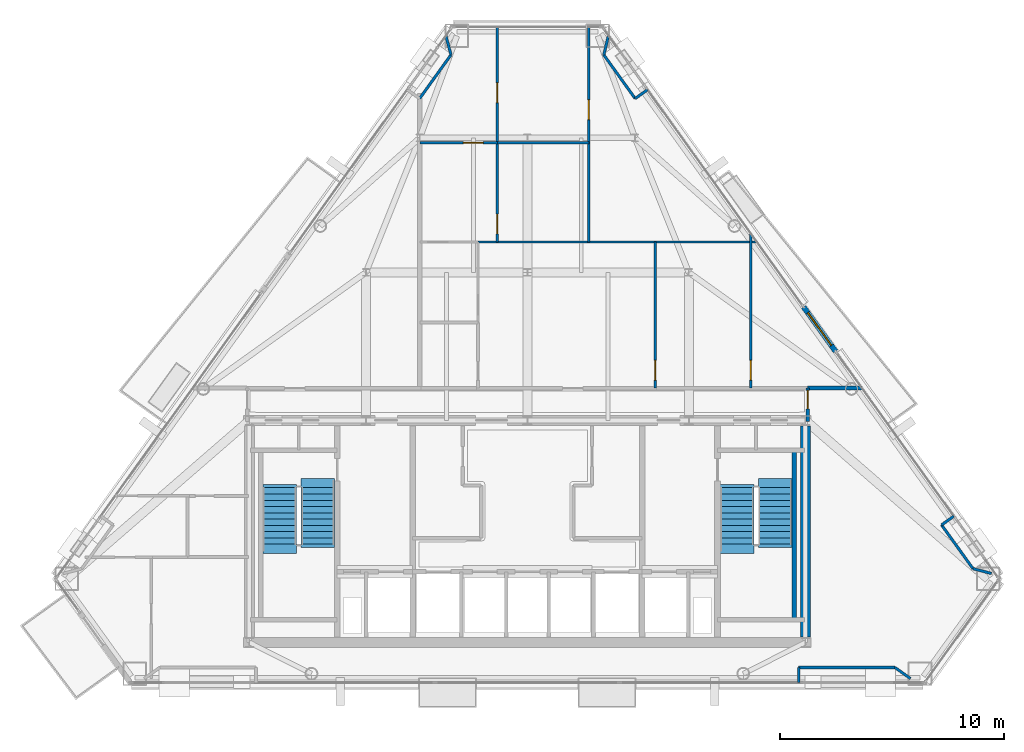
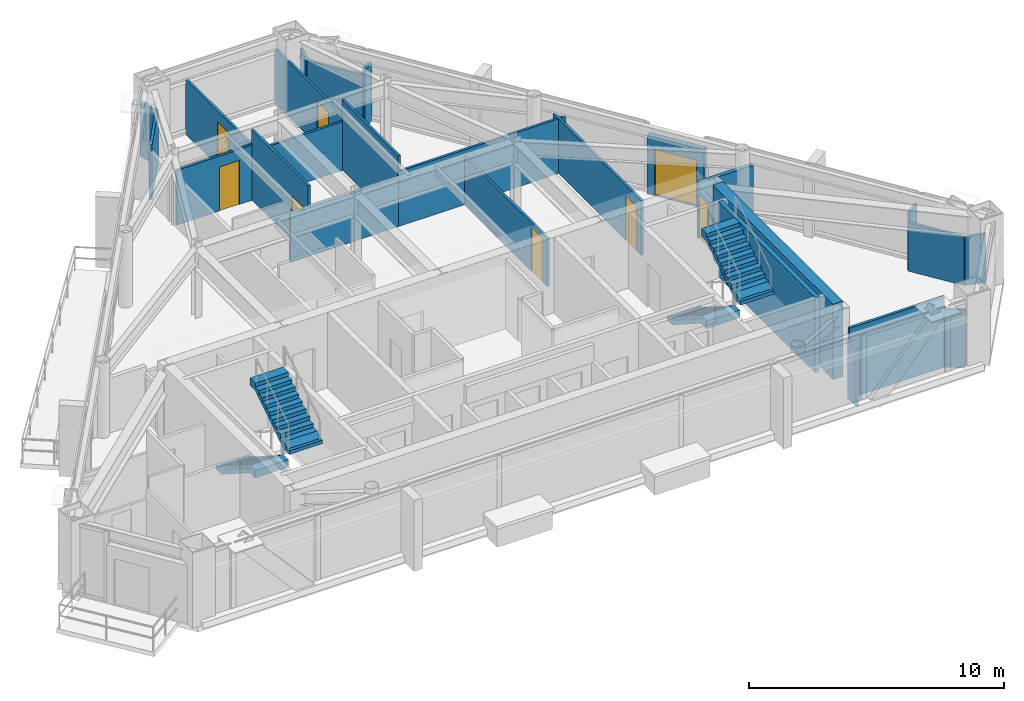
# One storey, part 9 of 11: 26 walls, 8 doors, 4 stair flights, 8 openings, 2 elements without a shape of their own.
"""IFC4 building model written with IfcOpenShell, lengths in metres."""

from ifc_helpers import new_model, si_unit, direction, frame, frame_2d, origin, place, context, subcontext, project, spatial, polyline, rectangle, outline, extrude, material, layer, layer_set, type_object, element, fill, aggregate, save


model = new_model("IFC4")

# Units and contexts
model_context = context("Model", 3, precision=1e-05, world=origin(), true_north=direction((0.0, 1.0)))
body_context = subcontext(model_context, "Body", "Model", "MODEL_VIEW")
ifc_project = project(units=[si_unit("LENGTHUNIT", "METRE"), si_unit("AREAUNIT", "SQUARE_METRE"), si_unit("VOLUMEUNIT", "CUBIC_METRE"), si_unit("PLANEANGLEUNIT", "RADIAN"), si_unit("MASSUNIT", "GRAM", prefix="KILO")], contexts=[model_context])

# Site, building, storey
site_placement = place(None, origin())
site = spatial("IfcSite", under=ifc_project, at=site_placement, CompositionType="ELEMENT")
building_placement = place(site_placement, origin())
building = spatial("IfcBuilding", under=site, at=building_placement, Name="Talgorran Terracotta Tower", CompositionType="ELEMENT")
storey_placement = place(building_placement, frame((0.0, 0.0, 203.699951171875)))
storey = spatial("IfcBuildingStorey", under=building, at=storey_placement, Name="L53", CompositionType="ELEMENT", Elevation=203.699951171875)

# Wall, opening, door
ifc_material_1 = material(Name="Concrete C40/50", Category="concrete")
ifc_layer_1 = layer(ifc_material_1, 0.239990234375, Name="WT_BALCONY_SPAND")
ifc_layer_set_1 = layer_set([ifc_layer_1], Name="Concrete C40/50")
wall_type_1 = type_object("IfcWallType", Name="WT_BALCONY_SPAND", PredefinedType="STANDARD", material=ifc_layer_set_1)
wall_1_placement = place(storey_placement, frame((13.747314453125, -1.119873046875, -0.014892578125), z_axis=(0.0, 0.0, 1.0), x_axis=(-0.58349791381, 0.812114637585, 0.0)))
wall_1 = element("IfcWall", 1, at=wall_1_placement, inside=storey, type_object=wall_type_1, Name="WL-L53-BALP-BAL-NE", PredefinedType="STANDARD", context=body_context, shape_type="SweptSolid", body=[
    extrude(rectangle(XDim=2.440185546875, YDim=0.239990234375, at=frame_2d((1.22021484375, 0.0))), origin(), (0.0, 0.0, 1.0), 2.802001953125),
])
opening_1_placement = place(wall_1_placement, frame((0.320068359375, 0.0, 0.014892578125)))
opening_1 = element("IfcOpeningElement", 2, at=opening_1_placement, cuts=wall_1, Name="Opening D-BAL-L53-1", PredefinedType="OPENING", context=body_context, shape_type="SweptSolid", body=[
    extrude(rectangle(XDim=1.806048828125, YDim=2.203951171875, at=frame_2d((0.89990234375, 1.10205078125))), frame((0.0, 0.1298828125, 0.0), z_axis=(0.0, -1.0, 0.0), x_axis=(1.0, 0.0, 0.0)), (0.0, 0.0, 1.0), 0.260009765625),
])
ifc_material_2 = material(Name="Thermally Broken Aluminium", Category="aluminium")
door_type_1 = type_object("IfcDoorType", Name="DT_BALC_1800", OperationType="SLIDING_TO_LEFT", PredefinedType="DOOR", material=ifc_material_2)
door_1_placement = place(opening_1_placement, origin())
door_1 = element("IfcDoor", 3, at=door_1_placement, inside=storey, type_object=door_type_1, Name="DR-L53-BAL-BAL-NE", OperationType="SLIDING_TO_LEFT", OverallHeight=2.199951171875, OverallWidth=1.800048828125, PredefinedType="DOOR", context=body_context, shape_type="SweptSolid", body=[
    extrude(rectangle(XDim=1.800048828125, YDim=2.199951171875, at=frame_2d((0.89990234375, 1.10009765625))), frame((0.0, 0.02490234375, 0.0), z_axis=(0.0, -1.0, 0.0), x_axis=(1.0, 0.0, 0.0)), (0.0, 0.0, 1.0), 0.050048828125),
])
fill(opening_1, door_1)

# Walls
ifc_material_3 = material(Name="Concrete C50/60", Category="concrete")
ifc_layer_2 = layer(ifc_material_3, 0.199951171875, Name="WT_CORE_200")
ifc_layer_set_2 = layer_set([ifc_layer_2], Name="Concrete C50/60")
wall_type_2 = type_object("IfcWallType", Name="WT_CORE_200", PredefinedType="SOLIDWALL", material=ifc_layer_set_2)
wall_2_placement = place(storey_placement, frame((11.89990234375, -13.10009765625, 0.0), z_axis=(0.0, 0.0, 1.0), x_axis=(0.0, 1.0, 0.0)))
element("IfcWall", 4, at=wall_2_placement, inside=storey, type_object=wall_type_2, Name="WL-L53-CW-ST2-E", PredefinedType="SOLIDWALL", context=body_context, shape_type="SweptSolid", body=[
    extrude(rectangle(XDim=7.580078125, YDim=0.199951171875, at=frame_2d((3.7900390625, 0.0))), origin(), (0.0, 0.0, 1.0), 3.60009765625),
])
ifc_material_4 = material(Name="Concrete C65/80", Category="concrete")
ifc_layer_3 = layer(ifc_material_4, 0.449951171875, Name="WT_CORE_EXT")
ifc_layer_set_3 = layer_set([ifc_layer_3], Name="Concrete C65/80")
wall_type_3 = type_object("IfcWallType", Name="WT_CORE_EXT", PredefinedType="SHEAR", material=ifc_layer_set_3)
wall_3_placement = place(storey_placement, frame((12.39990234375, -13.85009765625, 0.0), z_axis=(0.0, 0.0, 1.0), x_axis=(0.0, 1.0, 0.0)))
element("IfcWall", 5, at=wall_3_placement, inside=storey, type_object=wall_type_3, Name="WL-L53-CW-OUT-E", PredefinedType="SHEAR", context=body_context, shape_type="SweptSolid", body=[
    extrude(rectangle(XDim=9.400146484375, YDim=0.449951171875, at=frame_2d((4.7001953125, 0.0))), origin(), (0.0, 0.0, 1.0), 3.60009765625),
])

# Wall, opening, door
ifc_material_5 = material(Name="Fire-Rated Steel Stud Plasterboard", Category="steel")
ifc_layer_4 = layer(ifc_material_5, 0.14990234375, Name="WT_FIRE_150")
ifc_layer_set_4 = layer_set([ifc_layer_4], Name="Fire-Rated Steel Stud Plasterboard")
wall_type_4 = type_object("IfcWallType", Name="WT_FIRE_150", PredefinedType="PARTITIONING", material=ifc_layer_set_4)
wall_4_placement = place(storey_placement, frame((12.5, -4.239990234375, 0.0), z_axis=(0.0, 0.0, 1.0), x_axis=(0.0, 1.0, 0.0)))
wall_4 = element("IfcWall", 6, at=wall_4_placement, inside=storey, type_object=wall_type_4, Name="WL-L53-W-L53-R02", PredefinedType="PARTITIONING", context=body_context, shape_type="SweptSolid", body=[
    extrude(rectangle(XDim=1.47998046875, YDim=0.14990234375, at=frame_2d((0.739990234375, 0.0))), origin(), (0.0, 0.0, 1.0), 2.320068359375),
])
opening_2_placement = place(wall_4_placement, frame((0.56005859375, 0.0, 0.0)))
opening_2 = element("IfcOpeningElement", 7, at=opening_2_placement, cuts=wall_4, Name="Opening DR-L53-R06", PredefinedType="OPENING", context=body_context, shape_type="SweptSolid", body=[
    extrude(rectangle(XDim=0.826068359375, YDim=2.10409765625, at=frame_2d((0.41015625, 1.052001953125))), frame((0.0, 0.0849609375, 0.0), z_axis=(0.0, -1.0, 0.0), x_axis=(1.0, 0.0, 0.0)), (0.0, 0.0, 1.0), 0.169921875),
])
ifc_material_6 = material(Name="Moisture-Resistant Solid Timber", Category="wood")
door_type_2 = type_object("IfcDoorType", Name="DT_INT_820", OperationType="NOTDEFINED", PredefinedType="DOOR", material=ifc_material_6)
door_2_placement = place(opening_2_placement, origin())
door_2 = element("IfcDoor", 8, at=door_2_placement, inside=storey, type_object=door_type_2, Name="DR-L53-R06", OperationType="SINGLE_SWING_RIGHT", OverallHeight=2.10009765625, OverallWidth=0.820068359375, PredefinedType="DOOR", context=body_context, shape_type="SweptSolid", body=[
    extrude(rectangle(XDim=0.820068359375, YDim=2.10009765625, at=frame_2d((0.41015625, 1.050048828125))), frame((0.0, 0.02490234375, 0.0), z_axis=(0.0, -1.0, 0.0), x_axis=(1.0, 0.0, 0.0)), (0.0, 0.0, 1.0), 0.050048828125),
])
fill(opening_2, door_2)

# Wall
ifc_material_7 = material(Name="Acoustic Stud and Plasterboard")
ifc_layer_5 = layer(ifc_material_7, 0.179931640625, Name="WT_PARTY_200")
ifc_layer_set_5 = layer_set([ifc_layer_5], Name="Acoustic Stud and Plasterboard")
wall_type_5 = type_object("IfcWallType", Name="WT_PARTY_200", PredefinedType="PARTITIONING", material=ifc_layer_set_5)
wall_5_placement = place(storey_placement, frame((12.5, -2.760009765625, 0.0), z_axis=(0.0, 0.0, 1.0), x_axis=(1.0, 0.0, 0.0)))
element("IfcWall", 9, at=wall_5_placement, inside=storey, type_object=wall_type_5, Name="WL-L53-W-L53-R16", PredefinedType="PARTITIONING", context=body_context, shape_type="SweptSolid", body=[
    extrude(rectangle(XDim=2.426025390625, YDim=0.179931640625, at=frame_2d((1.212890625, 0.0))), origin(), (0.0, 0.0, 1.0), 2.6201171875),
])

# Wall, opening, door
ifc_material_8 = material(Name="Lightweight Steel Stud Partition", Category="steel")
ifc_layer_6 = layer(ifc_material_8, 0.10498046875, Name="WT_PART_110")
ifc_layer_set_6 = layer_set([ifc_layer_6], Name="Lightweight Steel Stud Partition")
wall_type_6 = type_object("IfcWallType", Name="WT_PART_110", PredefinedType="PARTITIONING", material=ifc_layer_set_6)
wall_6_placement = place(storey_placement, frame((9.9599609375, -2.760009765625, 0.0), z_axis=(0.0, 0.0, 1.0), x_axis=(0.0, 1.0, 0.0)))
wall_6 = element("IfcWall", 10, at=wall_6_placement, inside=storey, type_object=wall_type_6, Name="WL-L53-W-L53-R29", PredefinedType="PARTITIONING", context=body_context, shape_type="SweptSolid", body=[
    extrude(rectangle(XDim=6.91064453125, YDim=0.10498046875, at=frame_2d((3.455322265625, 0.0))), origin(), (0.0, 0.0, 1.0), 2.6201171875),
])
opening_3_placement = place(wall_6_placement, frame((0.360107421875, 0.0, 0.0)))
opening_3 = element("IfcOpeningElement", 11, at=opening_3_placement, cuts=wall_6, Name="Opening DR-L53-R12", PredefinedType="OPENING", context=body_context, shape_type="SweptSolid", body=[
    extrude(rectangle(XDim=0.8858828125, YDim=2.10409765625, at=frame_2d((0.43994140625, 1.052001953125))), frame((0.0, 0.0625, 0.0), z_axis=(0.0, -1.0, 0.0), x_axis=(1.0, 0.0, 0.0)), (0.0, 0.0, 1.0), 0.125),
])
ifc_material_9 = material(Name="Solid-Core Painted Timber", Category="wood")
door_type_3 = type_object("IfcDoorType", Name="DT_INT_880", OperationType="NOTDEFINED", PredefinedType="DOOR", material=ifc_material_9)
door_3_placement = place(opening_3_placement, origin())
door_3 = element("IfcDoor", 12, at=door_3_placement, inside=storey, type_object=door_type_3, Name="DR-L53-R12", OperationType="SINGLE_SWING_RIGHT", OverallHeight=2.10009765625, OverallWidth=0.8798828125, PredefinedType="DOOR", context=body_context, shape_type="SweptSolid", body=[
    extrude(rectangle(XDim=0.8798828125, YDim=2.10009765625, at=frame_2d((0.43994140625, 1.050048828125))), frame((0.0, 0.02490234375, 0.0), z_axis=(0.0, -1.0, 0.0), x_axis=(1.0, 0.0, 0.0)), (0.0, 0.0, 1.0), 0.050048828125),
])
fill(opening_3, door_3)

wall_7_placement = place(storey_placement, frame((5.699951171875, -2.760009765625, 0.0), z_axis=(0.0, 0.0, 1.0), x_axis=(0.0, 1.0, 0.0)))
wall_7 = element("IfcWall", 13, at=wall_7_placement, inside=storey, type_object=wall_type_6, Name="WL-L53-W-L53-R25", PredefinedType="PARTITIONING", context=body_context, shape_type="SweptSolid", body=[
    extrude(rectangle(XDim=6.52001953125, YDim=0.10498046875, at=frame_2d((3.260009765625, 0.0))), origin(), (0.0, 0.0, 1.0), 2.320068359375),
])
opening_4_placement = place(wall_7_placement, frame((0.360107421875, 0.0, 0.0)))
opening_4 = element("IfcOpeningElement", 14, at=opening_4_placement, cuts=wall_7, Name="Opening DR-L53-R11", PredefinedType="OPENING", context=body_context, shape_type="SweptSolid", body=[
    extrude(rectangle(XDim=0.8858828125, YDim=2.10409765625, at=frame_2d((0.43994140625, 1.052001953125))), frame((0.0, 0.0625, 0.0), z_axis=(0.0, -1.0, 0.0), x_axis=(1.0, 0.0, 0.0)), (0.0, 0.0, 1.0), 0.125),
])
door_4_placement = place(opening_4_placement, origin())
door_4 = element("IfcDoor", 15, at=door_4_placement, inside=storey, type_object=door_type_3, Name="DR-L53-R11", OperationType="SINGLE_SWING_LEFT", OverallHeight=2.10009765625, OverallWidth=0.8798828125, PredefinedType="DOOR", context=body_context, shape_type="SweptSolid", body=[
    extrude(rectangle(XDim=0.8798828125, YDim=2.10009765625, at=frame_2d((0.43994140625, 1.050048828125))), frame((0.0, 0.02490234375, 0.0), z_axis=(0.0, -1.0, 0.0), x_axis=(1.0, 0.0, 0.0)), (0.0, 0.0, 1.0), 0.050048828125),
])
fill(opening_4, door_4)

wall_8_placement = place(storey_placement, frame((-1.340087890625, 8.179931640625, 0.0), z_axis=(0.0, 0.0, 1.0), x_axis=(0.0, 1.0, 0.0)))
wall_8 = element("IfcWall", 16, at=wall_8_placement, inside=storey, type_object=wall_type_6, Name="WL-L53-W-L53-R35", PredefinedType="PARTITIONING", context=body_context, shape_type="SweptSolid", body=[
    extrude(rectangle(XDim=5.169677734375, YDim=0.10498046875, at=frame_2d((2.5849609375, 0.0))), origin(), (0.0, 0.0, 1.0), 2.6201171875),
])
opening_5_placement = place(wall_8_placement, frame((1.795654296875, 0.0, 0.0)))
opening_5 = element("IfcOpeningElement", 17, at=opening_5_placement, cuts=wall_8, Name="Opening DR-L53-R15", PredefinedType="OPENING", context=body_context, shape_type="SweptSolid", body=[
    extrude(rectangle(XDim=0.8858828125, YDim=2.10409765625, at=frame_2d((0.43994140625, 1.052001953125))), frame((0.0, 0.0625, 0.0), z_axis=(0.0, -1.0, 0.0), x_axis=(1.0, 0.0, 0.0)), (0.0, 0.0, 1.0), 0.125),
])
door_5_placement = place(opening_5_placement, origin())
door_5 = element("IfcDoor", 18, at=door_5_placement, inside=storey, type_object=door_type_3, Name="DR-L53-R15", OperationType="SINGLE_SWING_LEFT", OverallHeight=2.10009765625, OverallWidth=0.8798828125, PredefinedType="DOOR", context=body_context, shape_type="SweptSolid", body=[
    extrude(rectangle(XDim=0.8798828125, YDim=2.10009765625, at=frame_2d((0.43994140625, 1.050048828125))), frame((0.0, 0.02490234375, 0.0), z_axis=(0.0, -1.0, 0.0), x_axis=(1.0, 0.0, 0.0)), (0.0, 0.0, 1.0), 0.050048828125),
])
fill(opening_5, door_5)

wall_9_placement = place(storey_placement, frame((2.739990234375, 8.179931640625, 0.0), z_axis=(0.0, 0.0, 1.0), x_axis=(0.0, 1.0, 0.0)))
wall_9 = element("IfcWall", 19, at=wall_9_placement, inside=storey, type_object=wall_type_6, Name="WL-L53-W-L53-R36", PredefinedType="PARTITIONING", context=body_context, shape_type="SweptSolid", body=[
    extrude(rectangle(XDim=5.169677734375, YDim=0.10498046875, at=frame_2d((2.5849609375, 0.0))), origin(), (0.0, 0.0, 1.0), 2.6201171875),
])
opening_6_placement = place(wall_9_placement, frame((1.03759765625, 0.0, 0.0)))
opening_6 = element("IfcOpeningElement", 20, at=opening_6_placement, cuts=wall_9, Name="Opening DR-L53-R16", PredefinedType="OPENING", context=body_context, shape_type="SweptSolid", body=[
    extrude(rectangle(XDim=0.8858828125, YDim=2.10409765625, at=frame_2d((0.43994140625, 1.052001953125))), frame((0.0, 0.0625, 0.0), z_axis=(0.0, -1.0, 0.0), x_axis=(1.0, 0.0, 0.0)), (0.0, 0.0, 1.0), 0.125),
])
door_6_placement = place(opening_6_placement, origin())
door_6 = element("IfcDoor", 21, at=door_6_placement, inside=storey, type_object=door_type_3, Name="DR-L53-R16", OperationType="SINGLE_SWING_RIGHT", OverallHeight=2.10009765625, OverallWidth=0.8798828125, PredefinedType="DOOR", context=body_context, shape_type="SweptSolid", body=[
    extrude(rectangle(XDim=0.8798828125, YDim=2.10009765625, at=frame_2d((0.43994140625, 1.050048828125))), frame((0.0, 0.02490234375, 0.0), z_axis=(0.0, -1.0, 0.0), x_axis=(1.0, 0.0, 0.0)), (0.0, 0.0, 1.0), 0.050048828125),
])
fill(opening_6, door_6)

# Wall
wall_10_placement = place(storey_placement, frame((2.679931640625, 3.760009765625, 0.0), z_axis=(0.0, 0.0, 1.0), x_axis=(1.0, 0.0, 0.0)))
element("IfcWall", 22, at=wall_10_placement, inside=storey, type_object=wall_type_6, Name="WL-L53-W-L53-R30", PredefinedType="PARTITIONING", context=body_context, shape_type="SweptSolid", body=[
    extrude(rectangle(XDim=7.560791015625, YDim=0.10498046875, at=frame_2d((3.7802734375, 0.0))), origin(), (0.0, 0.0, 1.0), 2.6201171875),
])

# Wall, opening, door
wall_11_placement = place(storey_placement, frame((-1.340087890625, 3.760009765625, 0.0), z_axis=(0.0, 0.0, 1.0), x_axis=(0.0, 1.0, 0.0)))
wall_11 = element("IfcWall", 23, at=wall_11_placement, inside=storey, type_object=wall_type_6, Name="WL-L53-W-L53-R31", PredefinedType="PARTITIONING", context=body_context, shape_type="SweptSolid", body=[
    extrude(rectangle(XDim=4.419921875, YDim=0.10498046875, at=frame_2d((2.2099609375, 0.0))), origin(), (0.0, 0.0, 1.0), 3.344970703125),
])
opening_7_placement = place(wall_11_placement, frame((0.358642578125, 0.0, 0.0)))
opening_7 = element("IfcOpeningElement", 24, at=opening_7_placement, cuts=wall_11, Name="Opening DR-L53-R14", PredefinedType="OPENING", context=body_context, shape_type="SweptSolid", body=[
    extrude(rectangle(XDim=0.8858828125, YDim=2.10409765625, at=frame_2d((0.43994140625, 1.052001953125))), frame((0.0, 0.0625, 0.0), z_axis=(0.0, -1.0, 0.0), x_axis=(1.0, 0.0, 0.0)), (0.0, 0.0, 1.0), 0.125),
])
door_7_placement = place(opening_7_placement, origin())
door_7 = element("IfcDoor", 25, at=door_7_placement, inside=storey, type_object=door_type_3, Name="DR-L53-R14", OperationType="SINGLE_SWING_RIGHT", OverallHeight=2.10009765625, OverallWidth=0.8798828125, PredefinedType="DOOR", context=body_context, shape_type="SweptSolid", body=[
    extrude(rectangle(XDim=0.8798828125, YDim=2.10009765625, at=frame_2d((0.43994140625, 1.050048828125))), frame((0.0, 0.02490234375, 0.0), z_axis=(0.0, -1.0, 0.0), x_axis=(1.0, 0.0, 0.0)), (0.0, 0.0, 1.0), 0.050048828125),
])
fill(opening_7, door_7)

# Walls
wall_12_placement = place(storey_placement, frame((2.739990234375, 3.760009765625, 0.0), z_axis=(0.0, 0.0, 1.0), x_axis=(0.0, 1.0, 0.0)))
element("IfcWall", 26, at=wall_12_placement, inside=storey, type_object=wall_type_6, Name="WL-L53-W-L53-R34", PredefinedType="PARTITIONING", context=body_context, shape_type="SweptSolid", body=[
    extrude(rectangle(XDim=4.419921875, YDim=0.10498046875, at=frame_2d((2.2099609375, 0.0))), origin(), (0.0, 0.0, 1.0), 3.344970703125),
])
wall_13_placement = place(storey_placement, frame((-2.199951171875, 3.760009765625, 0.0), z_axis=(0.0, 0.0, 1.0), x_axis=(1.0, 0.0, 0.0)))
element("IfcWall", 27, at=wall_13_placement, inside=storey, type_object=wall_type_6, Name="WL-L53-W-L53-R27", PredefinedType="PARTITIONING", context=body_context, shape_type="SweptSolid", body=[
    extrude(rectangle(XDim=4.8779296875, YDim=0.10498046875, at=frame_2d((2.43896484375, 0.0))), origin(), (0.0, 0.0, 1.0), 2.320068359375),
])
wall_14_placement = place(storey_placement, frame((-1.340087890625, 8.179931640625, 0.0), z_axis=(0.0, 0.0, 1.0), x_axis=(1.0, 0.0, 0.0)))
element("IfcWall", 28, at=wall_14_placement, inside=storey, type_object=wall_type_6, Name="WL-L53-W-L53-R33", PredefinedType="PARTITIONING", context=body_context, shape_type="SweptSolid", body=[
    extrude(rectangle(XDim=4.080078125, YDim=0.10498046875, at=frame_2d((2.0400390625, 0.0))), origin(), (0.0, 0.0, 1.0), 2.320068359375),
])

# Wall, opening, door
wall_15_placement = place(storey_placement, frame((-4.800048828125, 8.179931640625, 0.0), z_axis=(0.0, 0.0, 1.0), x_axis=(1.0, 0.0, 0.0)))
wall_15 = element("IfcWall", 29, at=wall_15_placement, inside=storey, type_object=wall_type_6, Name="WL-L53-W-L53-R32", PredefinedType="PARTITIONING", context=body_context, shape_type="SweptSolid", body=[
    extrude(rectangle(XDim=3.4599609375, YDim=0.10498046875, at=frame_2d((1.72998046875, 0.0))), origin(), (0.0, 0.0, 1.0), 2.6201171875),
])
opening_8_placement = place(wall_15_placement, frame((1.9443359375, 0.0, 0.0)))
opening_8 = element("IfcOpeningElement", 30, at=opening_8_placement, cuts=wall_15, Name="Opening DR-L53-R13", PredefinedType="OPENING", context=body_context, shape_type="SweptSolid", body=[
    extrude(rectangle(XDim=0.8858828125, YDim=2.10409765625, at=frame_2d((0.43994140625, 1.052001953125))), frame((0.0, 0.0625, 0.0), z_axis=(0.0, -1.0, 0.0), x_axis=(1.0, 0.0, 0.0)), (0.0, 0.0, 1.0), 0.125),
])
door_8_placement = place(opening_8_placement, origin())
door_8 = element("IfcDoor", 31, at=door_8_placement, inside=storey, type_object=door_type_3, Name="DR-L53-R13", OperationType="SINGLE_SWING_LEFT", OverallHeight=2.10009765625, OverallWidth=0.8798828125, PredefinedType="DOOR", context=body_context, shape_type="SweptSolid", body=[
    extrude(rectangle(XDim=0.8798828125, YDim=2.10009765625, at=frame_2d((0.43994140625, 1.050048828125))), frame((0.0, 0.02490234375, 0.0), z_axis=(0.0, -1.0, 0.0), x_axis=(1.0, 0.0, 0.0)), (0.0, 0.0, 1.0), 0.050048828125),
])
fill(opening_8, door_8)

# Walls
ifc_material_10 = material(Name="Insulated Steel Stud Plasterboard", Category="steel")
ifc_layer_7 = layer(ifc_material_10, 0.1201171875, Name="WT_PART_120")
ifc_layer_set_7 = layer_set([ifc_layer_7], Name="Insulated Steel Stud Plasterboard")
wall_type_7 = type_object("IfcWallType", Name="WT_PART_120", PredefinedType="PARTITIONING", material=ifc_layer_set_7)
wall_16_placement = place(storey_placement, frame((12.1005859375, -15.216796875, 0.0), z_axis=(0.0, 0.0, 1.0), x_axis=(1.0, 0.0, 0.0)))
element("IfcWall", 32, at=wall_16_placement, inside=storey, type_object=wall_type_7, Name="WL-L53-BW-L53-06", PredefinedType="PARTITIONING", context=body_context, shape_type="SweptSolid", body=[
    extrude(rectangle(XDim=4.288330078125, YDim=0.1201171875, at=frame_2d((2.14404296875, 0.0))), origin(), (0.0, 0.0, 1.0), 3.344970703125),
])
for number, where, z_axis, x_axis, name in (
    (33, (-3.407470703125, 12.10400390625, 0.0), (0.0, 0.0, 1.0), (-0.583583646273, -0.81205303263, 0.0), "WL-L53-BW-L53-14"),
    (34, (4.80810546875, 10.155029296875, 0.0), (0.0, 0.0, 1.0), (-0.583583646273, 0.81205303263, 0.0), "WL-L53-BW-L53-17"),
):
    element("IfcWall", number, at=place(storey_placement, frame(where, z_axis=z_axis, x_axis=x_axis)), inside=storey, type_object=wall_type_7, Name=name, PredefinedType="PARTITIONING", context=body_context, shape_type="SweptSolid", body=[
        extrude(rectangle(XDim=2.400146484375, YDim=0.1201171875, at=frame_2d((1.2001953125, 0.0))), origin(), (0.0, 0.0, 1.0), 2.6201171875),
    ])
wall_17_placement = place(storey_placement, frame((19.8740234375, -10.810791015625, 0.0), z_axis=(0.0, 0.0, 1.0), x_axis=(-0.583564770882, 0.812066597137, 0.0)))
element("IfcWall", 35, at=wall_17_placement, inside=storey, type_object=wall_type_7, Name="WL-L53-BW-L53-12", PredefinedType="PARTITIONING", context=body_context, shape_type="SweptSolid", body=[
    extrude(rectangle(XDim=2.399658203125, YDim=0.1201171875, at=frame_2d((1.19970703125, 0.0))), origin(), (0.0, 0.0, 1.0), 2.320068359375),
])
wall_18_placement = place(storey_placement, frame((-3.630126953125, 12.942138671875, 0.0), z_axis=(0.0, 0.0, 1.0), x_axis=(0.256751374208, -0.966477486464, 0.0)))
element("IfcWall", 36, at=wall_18_placement, inside=storey, type_object=wall_type_7, Name="WL-L53-BW-L53-13", PredefinedType="PARTITIONING", context=body_context, shape_type="SweptSolid", body=[
    extrude(rectangle(XDim=0.8671875, YDim=0.1201171875, at=frame_2d((0.43359375, 0.0))), origin(), (0.0, 0.0, 1.0), 2.6201171875),
])
wall_19_placement = place(storey_placement, frame((16.388916015625, -15.216796875, 0.0), z_axis=(0.0, 0.0, 1.0), x_axis=(0.814775258606, -0.579776920861, 0.0)))
element("IfcWall", 37, at=wall_19_placement, inside=storey, type_object=wall_type_7, Name="WL-L53-BW-L53-04", PredefinedType="PARTITIONING", context=body_context, shape_type="SweptSolid", body=[
    extrude(rectangle(XDim=0.85400390625, YDim=0.1201171875, at=frame_2d((0.427001953125, 0.0))), origin(), (0.0, 0.0, 1.0), 2.787109375),
])
wall_20_placement = place(storey_placement, frame((20.698486328125, -11.026611328125, 0.0), z_axis=(0.0, 0.0, 1.0), x_axis=(-0.967403978064, 0.253238115667, 0.0)))
element("IfcWall", 38, at=wall_20_placement, inside=storey, type_object=wall_type_7, Name="WL-L53-BW-L53-11", PredefinedType="PARTITIONING", context=body_context, shape_type="SweptSolid", body=[
    extrude(rectangle(XDim=0.852294921875, YDim=0.1201171875, at=frame_2d((0.42626953125, 0.0))), origin(), (0.0, 0.0, 1.0), 2.320068359375),
])
wall_21_placement = place(storey_placement, frame((3.407470703125, 12.10400390625, 0.0), z_axis=(0.0, 0.0, 1.0), x_axis=(0.237718936872, 0.971333983269, 0.0)))
element("IfcWall", 39, at=wall_21_placement, inside=storey, type_object=wall_type_7, Name="WL-L53-BW-L53-18", PredefinedType="PARTITIONING", context=body_context, shape_type="SweptSolid", body=[
    extrude(rectangle(XDim=0.84716796875, YDim=0.1201171875, at=frame_2d((0.423583984375, 0.0))), origin(), (0.0, 0.0, 1.0), 2.6201171875),
])
for number, where, z_axis, x_axis, name in (
    (40, (12.1005859375, -15.88671875, 0.0), (0.0, 0.0, 1.0), (0.0, 1.0, 0.0), "WL-L53-BW-L53-05"),
    (41, (18.4736328125, -8.862060546875, 0.0), (0.0, 0.0, 1.0), (0.812080143416, 0.583545919932, 0.0), "WL-L53-BW-L53-10"),
    (42, (5.35205078125, 10.546142578125, 0.0), (0.0, 0.0, 1.0), (-0.811907418628, -0.583786213932, 0.0), "WL-L53-BW-L53-16"),
):
    element("IfcWall", number, at=place(storey_placement, frame(where, z_axis=z_axis, x_axis=x_axis)), inside=storey, type_object=wall_type_7, Name=name, PredefinedType="PARTITIONING", context=body_context, shape_type="SweptSolid", body=[
        extrude(rectangle(XDim=0.669921875, YDim=0.1201171875, at=frame_2d((0.3349609375, 0.0))), origin(), (0.0, 0.0, 1.0), 2.787109375),
    ])

# Stair, stair flights
stair_type = type_object("IfcStairType", Name="ST_FIRE_SCISSOR", PredefinedType="HALF_TURN_STAIR", material=ifc_material_1)
stair_1_placement = place(storey_placement, origin())
stair_1 = element("IfcStair", 43, at=stair_1_placement, inside=storey, type_object=stair_type, Name="L53 West Protected Fire Stair ST-01", PredefinedType="HALF_TURN_STAIR")
ifc_layer_8 = layer(ifc_material_1, 0.179931640625, Name="STF_RC_1500")
ifc_layer_set_8 = layer_set([ifc_layer_8], Name="Concrete C40/50")
stair_flight_type = type_object("IfcStairFlightType", Name="STF_RC_1500", PredefinedType="STRAIGHT", material=ifc_layer_set_8)
stair_flight_1_placement = place(storey_placement, frame((-11.050048828125, -7.199951171875, 0.0), z_axis=(0.0, 0.0, 1.0), x_axis=(0.0, -1.0, 0.0)))
stair_flight_1 = element("IfcStairFlight", 44, at=stair_flight_1_placement, type_object=stair_flight_type, Name="ST-01 flight 1", NumberOfRisers=10, NumberOfTreads=9, PredefinedType="STRAIGHT", RiserHeight=0.18, TreadLength=0.28, context=body_context, shape_type="SweptSolid", body=[
    extrude(outline(polyline([(-0.139892578125, 0.0), (-0.139892578125, 0.179931640625), (0.0, 0.179931640625), (0.280029296875, 0.360107421875), (0.56005859375, 0.360107421875), (0.56005859375, 0.5400390625), (0.840087890625, 0.5400390625), (0.840087890625, 0.719970703125), (1.1201171875, 0.719970703125), (1.1201171875, 0.89990234375), (1.39990234375, 0.89990234375), (1.39990234375, 1.080078125), (1.679931640625, 1.080078125), (1.679931640625, 1.260009765625), (1.9599609375, 1.260009765625), (1.9599609375, 1.43994140625), (2.239990234375, 1.43994140625), (2.239990234375, 1.6201171875), (2.52001953125, 1.6201171875), (2.52001953125, 1.800048828125), (2.93994140625, 1.800048828125), (2.93994140625, 1.44189453125), (2.52001953125, 1.44189453125), (0.277099609375, 0.0), (-0.139892578125, 0.0)])), frame((0.0, 0.75, 0.0), z_axis=(0.0, -1.0, 0.0), x_axis=(1.0, 0.0, 0.0)), (0.0, 0.0, 1.0), 1.5),
])
stair_flight_2_placement = place(storey_placement, frame((-9.35009765625, -9.719970703125, 1.800048828125), z_axis=(0.0, 0.0, 1.0), x_axis=(0.0, 1.0, 0.0)))
stair_flight_2 = element("IfcStairFlight", 45, at=stair_flight_2_placement, type_object=stair_flight_type, Name="ST-01 flight 2", NumberOfRisers=10, NumberOfTreads=9, PredefinedType="STRAIGHT", RiserHeight=0.18, TreadLength=0.28, context=body_context, shape_type="SweptSolid", body=[
    extrude(outline(polyline([(-0.139892578125, 0.0), (-0.139892578125, 0.179931640625), (0.0, 0.179931640625), (0.280029296875, 0.360107421875), (0.56005859375, 0.360107421875), (0.56005859375, 0.5400390625), (0.840087890625, 0.5400390625), (0.840087890625, 0.719970703125), (1.1201171875, 0.719970703125), (1.1201171875, 0.89990234375), (1.39990234375, 0.89990234375), (1.39990234375, 1.080078125), (1.679931640625, 1.080078125), (1.679931640625, 1.260009765625), (1.9599609375, 1.260009765625), (1.9599609375, 1.43994140625), (2.239990234375, 1.43994140625), (2.239990234375, 1.6201171875), (2.52001953125, 1.6201171875), (2.52001953125, 1.800048828125), (2.93994140625, 1.800048828125), (2.93994140625, 1.44189453125), (2.52001953125, 1.44189453125), (0.277099609375, 0.0), (-0.139892578125, 0.0)])), frame((0.0, 0.75, 0.0), z_axis=(0.0, -1.0, 0.0), x_axis=(1.0, 0.0, 0.0)), (0.0, 0.0, 1.0), 1.5),
])
aggregate(stair_1, [stair_flight_1, stair_flight_2])

stair_2_placement = place(storey_placement, origin())
stair_2 = element("IfcStair", 46, at=stair_2_placement, inside=storey, type_object=stair_type, Name="L53 East Protected Fire Stair ST-02", PredefinedType="HALF_TURN_STAIR")
stair_flight_3_placement = place(storey_placement, frame((9.35009765625, -7.199951171875, 0.0), z_axis=(0.0, 0.0, 1.0), x_axis=(0.0, -1.0, 0.0)))
stair_flight_3 = element("IfcStairFlight", 47, at=stair_flight_3_placement, type_object=stair_flight_type, Name="ST-02 flight 1", NumberOfRisers=10, NumberOfTreads=9, PredefinedType="STRAIGHT", RiserHeight=0.18, TreadLength=0.28, context=body_context, shape_type="SweptSolid", body=[
    extrude(outline(polyline([(-0.139892578125, 0.0), (-0.139892578125, 0.179931640625), (0.0, 0.179931640625), (0.280029296875, 0.360107421875), (0.56005859375, 0.360107421875), (0.56005859375, 0.5400390625), (0.840087890625, 0.5400390625), (0.840087890625, 0.719970703125), (1.1201171875, 0.719970703125), (1.1201171875, 0.89990234375), (1.39990234375, 0.89990234375), (1.39990234375, 1.080078125), (1.679931640625, 1.080078125), (1.679931640625, 1.260009765625), (1.9599609375, 1.260009765625), (1.9599609375, 1.43994140625), (2.239990234375, 1.43994140625), (2.239990234375, 1.6201171875), (2.52001953125, 1.6201171875), (2.52001953125, 1.800048828125), (2.93994140625, 1.800048828125), (2.93994140625, 1.44189453125), (2.52001953125, 1.44189453125), (0.277099609375, 0.0), (-0.139892578125, 0.0)])), frame((0.0, 0.75, 0.0), z_axis=(0.0, -1.0, 0.0), x_axis=(1.0, 0.0, 0.0)), (0.0, 0.0, 1.0), 1.5),
])
stair_flight_4_placement = place(storey_placement, frame((11.050048828125, -9.719970703125, 1.800048828125), z_axis=(0.0, 0.0, 1.0), x_axis=(0.0, 1.0, 0.0)))
stair_flight_4 = element("IfcStairFlight", 48, at=stair_flight_4_placement, type_object=stair_flight_type, Name="ST-02 flight 2", NumberOfRisers=10, NumberOfTreads=9, PredefinedType="STRAIGHT", RiserHeight=0.18, TreadLength=0.28, context=body_context, shape_type="SweptSolid", body=[
    extrude(outline(polyline([(-0.139892578125, 0.0), (-0.139892578125, 0.179931640625), (0.0, 0.179931640625), (0.280029296875, 0.360107421875), (0.56005859375, 0.360107421875), (0.56005859375, 0.5400390625), (0.840087890625, 0.5400390625), (0.840087890625, 0.719970703125), (1.1201171875, 0.719970703125), (1.1201171875, 0.89990234375), (1.39990234375, 0.89990234375), (1.39990234375, 1.080078125), (1.679931640625, 1.080078125), (1.679931640625, 1.260009765625), (1.9599609375, 1.260009765625), (1.9599609375, 1.43994140625), (2.239990234375, 1.43994140625), (2.239990234375, 1.6201171875), (2.52001953125, 1.6201171875), (2.52001953125, 1.800048828125), (2.93994140625, 1.800048828125), (2.93994140625, 1.44189453125), (2.52001953125, 1.44189453125), (0.277099609375, 0.0), (-0.139892578125, 0.0)])), frame((0.0, 0.75, 0.0), z_axis=(0.0, -1.0, 0.0), x_axis=(1.0, 0.0, 0.0)), (0.0, 0.0, 1.0), 1.5),
])
aggregate(stair_2, [stair_flight_3, stair_flight_4])

save(model, "model.ifc")
